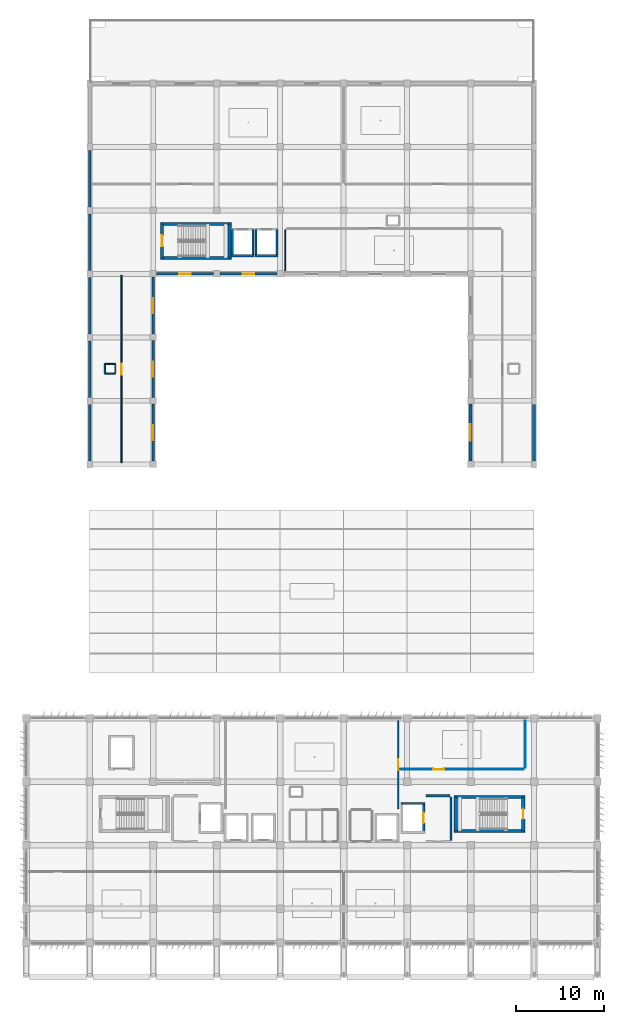
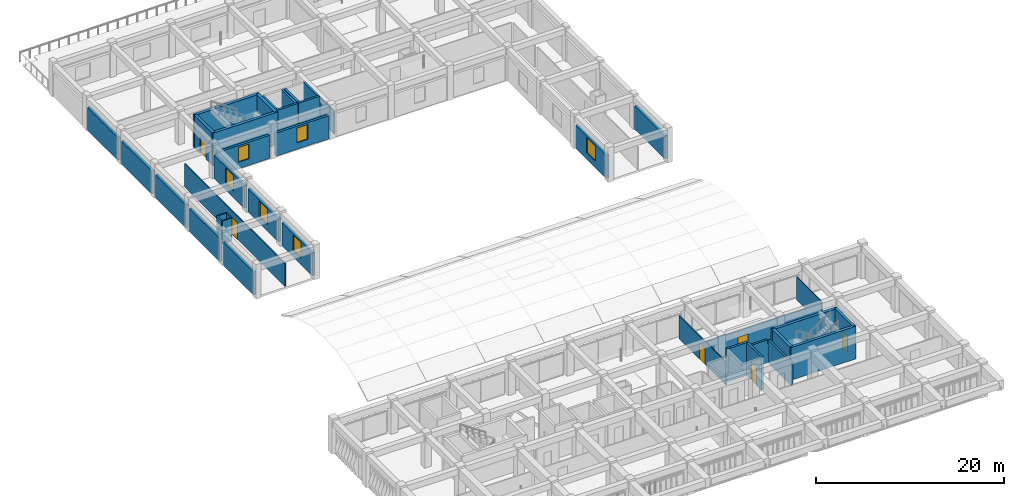
# One storey, part 37 of 56: 39 walls, 6 doors, 6 windows, 12 openings.
"""IFC4 building model written with IfcOpenShell, lengths in metres."""

from ifc_helpers import new_model, si_unit, direction, frame, frame_2d, origin, place, context, subcontext, project, spatial, rectangle, extrude, material, layer, layer_set, type_object, element, fill, save


model = new_model("IFC4")

# Units and contexts
model_context = context("Model", 3, precision=1e-05, world=origin(), true_north=direction((0.0, 1.0)))
body_context = subcontext(model_context, "Body", "Model", "MODEL_VIEW")
ifc_project = project(units=[si_unit("LENGTHUNIT", "METRE"), si_unit("AREAUNIT", "SQUARE_METRE"), si_unit("VOLUMEUNIT", "CUBIC_METRE"), si_unit("PLANEANGLEUNIT", "RADIAN"), si_unit("MASSUNIT", "GRAM", prefix="KILO")], contexts=[model_context])

# Site, building, storey
site_placement = place(None, origin())
site = spatial("IfcSite", under=ifc_project, at=site_placement, CompositionType="ELEMENT")
building_placement = place(site_placement, origin())
building = spatial("IfcBuilding", under=site, at=building_placement, Name="Kazehaya Institute of Natural Sciences", CompositionType="ELEMENT")
storey_placement = place(building_placement, frame((0.0, 0.0, 24.300048828125)))
storey = spatial("IfcBuildingStorey", under=building, at=storey_placement, Name="L05", CompositionType="ELEMENT", Elevation=24.300048828125)

# Walls
ifc_material_1 = material(Name="Concrete Fc42", Category="concrete")
ifc_layer_1 = layer(ifc_material_1, 0.35009765625, Name="Concrete Fc42", Category="concrete")
ifc_layer_set_1 = layer_set([ifc_layer_1], Name="Concrete Fc42")
wall_type_1 = type_object("IfcWallType", Name="WL-CORE-350", PredefinedType="SHEAR", material=ifc_layer_set_1)
for number, where, z_axis, x_axis, name in (
    (1, (111.155029296875, 22.820068359375, 0.0), (0.0, 0.0, 1.0), (-1.0, 0.0, 0.0), "L05 ST-2 core wall S"),
    (2, (103.14501953125, 26.659912109375, 0.0), (0.0, 0.0, 1.0), (1.0, 0.0, 0.0), "L05 ST-2 core wall N"),
):
    element("IfcWall", number, at=place(storey_placement, frame(where, z_axis=z_axis, x_axis=x_axis)), inside=storey, type_object=wall_type_1, Name=name, PredefinedType="SHEAR", context=body_context, shape_type="SweptSolid", body=[
        extrude(rectangle(XDim=8.010009765625, YDim=0.35009765625, at=frame_2d((4.0048828125, 0.0))), origin(), (0.0, 0.0, 1.0), 4.22998046875),
    ])
wall_1_placement = place(storey_placement, frame((103.320068359375, 22.820068359375, 0.0), z_axis=(0.0, 0.0, 1.0), x_axis=(0.0, 1.0, 0.0)))
element("IfcWall", 3, at=wall_1_placement, inside=storey, type_object=wall_type_1, Name="L05 ST-2 core wall W", PredefinedType="SHEAR", context=body_context, shape_type="SweptSolid", body=[
    extrude(rectangle(XDim=3.83984375, YDim=0.35009765625, at=frame_2d((1.919921875, 0.0))), origin(), (0.0, 0.0, 1.0), 4.22998046875),
])

# Wall, opening, door
wall_2_placement = place(storey_placement, frame((110.97998046875, 26.659912109375, 0.0), z_axis=(0.0, 0.0, 1.0), x_axis=(0.0, -1.0, 0.0)))
wall_2 = element("IfcWall", 4, at=wall_2_placement, inside=storey, type_object=wall_type_1, Name="L05 ST-2 core wall E", PredefinedType="SHEAR", context=body_context, shape_type="SweptSolid", body=[
    extrude(rectangle(XDim=3.83984375, YDim=0.35009765625, at=frame_2d((1.919921875, 0.0))), origin(), (0.0, 0.0, 1.0), 4.22998046875),
])
opening_1_placement = place(wall_2_placement, frame((1.35009765625, 0.0, 0.0)))
opening_1 = element("IfcOpeningElement", 5, at=opening_1_placement, cuts=wall_2, Name="Opening D-ST-018", PredefinedType="OPENING", context=body_context, shape_type="SweptSolid", body=[
    extrude(rectangle(XDim=1.139892578125, YDim=2.06005859375, at=frame_2d((0.56982421875, 1.030029296875))), frame((0.0, 0.18505859375, 0.0), z_axis=(0.0, -1.0, 0.0), x_axis=(1.0, 0.0, 0.0)), (0.0, 0.0, 1.0), 0.3701171875),
])
ifc_material_2 = material(Name="Fire-rated steel acoustic door", Category="steel")
door_type_1 = type_object("IfcDoorType", Name="DT-FD-19", OperationType="NOTDEFINED", PredefinedType="DOOR", material=ifc_material_2)
door_1_placement = place(opening_1_placement, origin())
door_1 = element("IfcDoor", 6, at=door_1_placement, inside=storey, type_object=door_type_1, Name="L05 ST-2 stair enclosure door D-ST-018", OperationType="SINGLE_SWING_RIGHT", OverallHeight=2.06005859375, OverallWidth=1.139892578125, PredefinedType="DOOR", context=body_context, shape_type="SweptSolid", body=[
    extrude(rectangle(XDim=1.139892578125, YDim=2.06005859375, at=frame_2d((0.56982421875, 1.030029296875))), frame((0.0, 0.02490234375, 0.0), z_axis=(0.0, -1.0, 0.0), x_axis=(1.0, 0.0, 0.0)), (0.0, 0.0, 1.0), 0.050048828125),
])
fill(opening_1, door_1)

# Walls
for number, where, z_axis, x_axis, name in (
    (7, (77.85498046875, 87.820068359375, 0.0), (0.0, 0.0, 1.0), (-1.0, 0.0, 0.0), "L05 ST-3 core wall S"),
    (8, (69.844970703125, 91.659912109375, 0.0), (0.0, 0.0, 1.0), (1.0, 0.0, 0.0), "L05 ST-3 core wall N"),
):
    element("IfcWall", number, at=place(storey_placement, frame(where, z_axis=z_axis, x_axis=x_axis)), inside=storey, type_object=wall_type_1, Name=name, PredefinedType="SHEAR", context=body_context, shape_type="SweptSolid", body=[
        extrude(rectangle(XDim=8.010009765625, YDim=0.35009765625, at=frame_2d((4.0048828125, 0.0))), origin(), (0.0, 0.0, 1.0), 4.22998046875),
    ])

# Wall, opening, door
wall_3_placement = place(storey_placement, frame((70.02001953125, 87.820068359375, 0.0), z_axis=(0.0, 0.0, 1.0), x_axis=(0.0, 1.0, 0.0)))
wall_3 = element("IfcWall", 9, at=wall_3_placement, inside=storey, type_object=wall_type_1, Name="L05 ST-3 core wall W", PredefinedType="SHEAR", context=body_context, shape_type="SweptSolid", body=[
    extrude(rectangle(XDim=3.83984375, YDim=0.35009765625, at=frame_2d((1.919921875, 0.0))), origin(), (0.0, 0.0, 1.0), 4.22998046875),
])
opening_2_placement = place(wall_3_placement, frame((1.2900390625, 0.0, 0.0)))
opening_2 = element("IfcOpeningElement", 10, at=opening_2_placement, cuts=wall_3, Name="Opening D-ST-029", PredefinedType="OPENING", context=body_context, shape_type="SweptSolid", body=[
    extrude(rectangle(XDim=1.260009765625, YDim=2.179931640625, at=frame_2d((0.6298828125, 1.08984375))), frame((0.0, 0.18505859375, 0.0), z_axis=(0.0, -1.0, 0.0), x_axis=(1.0, 0.0, 0.0)), (0.0, 0.0, 1.0), 0.3701171875),
])
door_type_2 = type_object("IfcDoorType", Name="DT-FD-30", OperationType="NOTDEFINED", PredefinedType="DOOR", material=ifc_material_2)
door_2_placement = place(opening_2_placement, origin())
door_2 = element("IfcDoor", 11, at=door_2_placement, inside=storey, type_object=door_type_2, Name="L05 ST-3 stair enclosure door D-ST-029", OperationType="SINGLE_SWING_LEFT", OverallHeight=2.179931640625, OverallWidth=1.260009765625, PredefinedType="DOOR", context=body_context, shape_type="SweptSolid", body=[
    extrude(rectangle(XDim=1.260009765625, YDim=2.179931640625, at=frame_2d((0.6298828125, 1.08984375))), frame((0.0, 0.02490234375, 0.0), z_axis=(0.0, -1.0, 0.0), x_axis=(1.0, 0.0, 0.0)), (0.0, 0.0, 1.0), 0.050048828125),
])
fill(opening_2, door_2)

# Wall
wall_4_placement = place(storey_placement, frame((77.679931640625, 91.659912109375, 0.0), z_axis=(0.0, 0.0, 1.0), x_axis=(0.0, -1.0, 0.0)))
element("IfcWall", 12, at=wall_4_placement, inside=storey, type_object=wall_type_1, Name="L05 ST-3 core wall E", PredefinedType="SHEAR", context=body_context, shape_type="SweptSolid", body=[
    extrude(rectangle(XDim=3.83984375, YDim=0.35009765625, at=frame_2d((1.919921875, 0.0))), origin(), (0.0, 0.0, 1.0), 4.22998046875),
])

# Wall, opening, window
ifc_material_3 = material(Name="Precast concrete Fc36", Category="concrete")
ifc_layer_2 = layer(ifc_material_3, 0.2900390625, Name="Precast concrete Fc36", Category="concrete")
ifc_layer_set_2 = layer_set([ifc_layer_2], Name="Precast concrete Fc36")
wall_type_2 = type_object("IfcWallType", Name="WL-EXT-290", PredefinedType="SOLIDWALL", material=ifc_layer_set_2)
wall_5_placement = place(storey_placement, frame((83.0400390625, 86.0, 0.0), z_axis=(0.0, 0.0, 1.0), x_axis=(-1.0, 0.0, 0.0)))
wall_5 = element("IfcWall", 13, at=wall_5_placement, inside=storey, type_object=wall_type_2, Name="L05 exterior wall EW-L05-0329", PredefinedType="SOLIDWALL", context=body_context, shape_type="SweptSolid", body=[
    extrude(rectangle(XDim=6.47998046875, YDim=0.2900390625, at=frame_2d((3.239990234375, 0.0))), origin(), (0.0, 0.0, 1.0), 3.0),
])
opening_3_placement = place(wall_5_placement, frame((2.590087890625, 0.0, 0.85009765625)))
opening_3 = element("IfcOpeningElement", 14, at=opening_3_placement, cuts=wall_5, Name="Opening W26", PredefinedType="OPENING", context=body_context, shape_type="SweptSolid", body=[
    extrude(rectangle(XDim=1.300048828125, YDim=1.89990234375, at=frame_2d((0.64990234375, 0.949951171875))), frame((0.0, 0.155029296875, 0.0), z_axis=(0.0, -1.0, 0.0), x_axis=(1.0, 0.0, 0.0)), (0.0, 0.0, 1.0), 0.31005859375),
])
ifc_material_4 = material(Name="Low-E double-glazed aluminium window", Category="aluminium")
window_type_1 = type_object("IfcWindowType", Name="WN-26", PartitioningType="SINGLE_PANEL", PredefinedType="WINDOW", material=ifc_material_4)
window_1_placement = place(opening_3_placement, origin())
window_1 = element("IfcWindow", 15, at=window_1_placement, inside=storey, type_object=window_type_1, Name="L05 facade window 0203", OverallHeight=1.89990234375, OverallWidth=1.300048828125, PartitioningType="SINGLE_PANEL", PredefinedType="WINDOW", context=body_context, shape_type="SweptSolid", body=[
    extrude(rectangle(XDim=1.300048828125, YDim=1.89990234375, at=frame_2d((0.64990234375, 0.949951171875))), frame((0.0, 0.030029296875, 0.0), z_axis=(0.0, -1.0, 0.0), x_axis=(1.0, 0.0, 0.0)), (0.0, 0.0, 1.0), 0.06005859375),
])
fill(opening_3, window_1)

wall_6_placement = place(storey_placement, frame((75.840087890625, 86.0, 0.0), z_axis=(0.0, 0.0, 1.0), x_axis=(-1.0, 0.0, 0.0)))
wall_6 = element("IfcWall", 16, at=wall_6_placement, inside=storey, type_object=wall_type_2, Name="L05 exterior wall EW-L05-0330", PredefinedType="SOLIDWALL", context=body_context, shape_type="SweptSolid", body=[
    extrude(rectangle(XDim=6.47998046875, YDim=0.2900390625, at=frame_2d((3.239990234375, 0.0))), origin(), (0.0, 0.0, 1.0), 3.0),
])
opening_4_placement = place(wall_6_placement, frame((2.590087890625, 0.0, 0.85009765625)))
opening_4 = element("IfcOpeningElement", 17, at=opening_4_placement, cuts=wall_6, Name="Opening W26", PredefinedType="OPENING", context=body_context, shape_type="SweptSolid", body=[
    extrude(rectangle(XDim=1.300048828125, YDim=1.89990234375, at=frame_2d((0.64990234375, 0.949951171875))), frame((0.0, 0.155029296875, 0.0), z_axis=(0.0, -1.0, 0.0), x_axis=(1.0, 0.0, 0.0)), (0.0, 0.0, 1.0), 0.31005859375),
])
window_2_placement = place(opening_4_placement, origin())
window_2 = element("IfcWindow", 18, at=window_2_placement, inside=storey, type_object=window_type_1, Name="L05 facade window 0204", OverallHeight=1.89990234375, OverallWidth=1.300048828125, PartitioningType="SINGLE_PANEL", PredefinedType="WINDOW", context=body_context, shape_type="SweptSolid", body=[
    extrude(rectangle(XDim=1.300048828125, YDim=1.89990234375, at=frame_2d((0.64990234375, 0.949951171875))), frame((0.0, 0.030029296875, 0.0), z_axis=(0.0, -1.0, 0.0), x_axis=(1.0, 0.0, 0.0)), (0.0, 0.0, 1.0), 0.06005859375),
])
fill(opening_4, window_2)

ifc_layer_3 = layer(ifc_material_3, 0.31005859375, Name="Precast concrete Fc36", Category="concrete")
ifc_layer_set_3 = layer_set([ifc_layer_3], Name="Precast concrete Fc36")
wall_type_3 = type_object("IfcWallType", Name="WL-EXT-310", PredefinedType="SOLIDWALL", material=ifc_layer_set_3)
wall_7_placement = place(storey_placement, frame((69.0, 71.239990234375, 0.0), z_axis=(0.0, 0.0, 1.0), x_axis=(0.0, -1.0, 0.0)))
wall_7 = element("IfcWall", 19, at=wall_7_placement, inside=storey, type_object=wall_type_3, Name="L05 exterior wall EW-L05-0303", PredefinedType="SOLIDWALL", context=body_context, shape_type="SweptSolid", body=[
    extrude(rectangle(XDim=6.47998046875, YDim=0.31005859375, at=frame_2d((3.239990234375, 0.0))), origin(), (0.0, 0.0, 1.0), 3.0),
])
opening_5_placement = place(wall_7_placement, frame((2.389892578125, 0.0, 0.85009765625)))
opening_5 = element("IfcOpeningElement", 20, at=opening_5_placement, cuts=wall_7, Name="Opening W22", PredefinedType="OPENING", context=body_context, shape_type="SweptSolid", body=[
    extrude(rectangle(XDim=1.699951171875, YDim=2.0, at=frame_2d((0.85009765625, 1.0))), frame((0.0, 0.1650390625, 0.0), z_axis=(0.0, -1.0, 0.0), x_axis=(1.0, 0.0, 0.0)), (0.0, 0.0, 1.0), 0.330078125),
])
window_type_2 = type_object("IfcWindowType", Name="WN-22", PartitioningType="SINGLE_PANEL", PredefinedType="WINDOW", material=ifc_material_4)
window_3_placement = place(opening_5_placement, origin())
window_3 = element("IfcWindow", 21, at=window_3_placement, inside=storey, type_object=window_type_2, Name="L05 facade window 0190", OverallHeight=2.0, OverallWidth=1.699951171875, PartitioningType="SINGLE_PANEL", PredefinedType="WINDOW", context=body_context, shape_type="SweptSolid", body=[
    extrude(rectangle(XDim=1.699951171875, YDim=2.0, at=frame_2d((0.85009765625, 1.0))), frame((0.0, 0.030029296875, 0.0), z_axis=(0.0, -1.0, 0.0), x_axis=(1.0, 0.0, 0.0)), (0.0, 0.0, 1.0), 0.06005859375),
])
fill(opening_5, window_3)

wall_8_placement = place(storey_placement, frame((105.0, 64.760009765625, 0.0), z_axis=(0.0, 0.0, 1.0), x_axis=(0.0, 1.0, 0.0)))
wall_8 = element("IfcWall", 22, at=wall_8_placement, inside=storey, type_object=wall_type_3, Name="L05 exterior wall EW-L05-0304", PredefinedType="SOLIDWALL", context=body_context, shape_type="SweptSolid", body=[
    extrude(rectangle(XDim=6.47998046875, YDim=0.31005859375, at=frame_2d((3.239990234375, 0.0))), origin(), (0.0, 0.0, 1.0), 3.0),
])
opening_6_placement = place(wall_8_placement, frame((2.2900390625, 0.0, 0.85009765625)))
opening_6 = element("IfcOpeningElement", 23, at=opening_6_placement, cuts=wall_8, Name="Opening W23", PredefinedType="OPENING", context=body_context, shape_type="SweptSolid", body=[
    extrude(rectangle(XDim=1.89990234375, YDim=2.0, at=frame_2d((0.949951171875, 1.0))), frame((0.0, 0.1650390625, 0.0), z_axis=(0.0, -1.0, 0.0), x_axis=(1.0, 0.0, 0.0)), (0.0, 0.0, 1.0), 0.330078125),
])
window_type_3 = type_object("IfcWindowType", Name="WN-23", PartitioningType="DOUBLE_PANEL_VERTICAL", PredefinedType="WINDOW", material=ifc_material_4)
window_4_placement = place(opening_6_placement, origin())
window_4 = element("IfcWindow", 24, at=window_4_placement, inside=storey, type_object=window_type_3, Name="L05 facade window 0191", OverallHeight=2.0, OverallWidth=1.89990234375, PartitioningType="DOUBLE_PANEL_VERTICAL", PredefinedType="WINDOW", context=body_context, shape_type="SweptSolid", body=[
    extrude(rectangle(XDim=1.89990234375, YDim=2.0, at=frame_2d((0.949951171875, 1.0))), frame((0.0, 0.030029296875, 0.0), z_axis=(0.0, -1.0, 0.0), x_axis=(1.0, 0.0, 0.0)), (0.0, 0.0, 1.0), 0.06005859375),
])
fill(opening_6, window_4)

wall_9_placement = place(storey_placement, frame((69.0, 78.43994140625, 0.0), z_axis=(0.0, 0.0, 1.0), x_axis=(0.0, -1.0, 0.0)))
wall_9 = element("IfcWall", 25, at=wall_9_placement, inside=storey, type_object=wall_type_3, Name="L05 exterior wall EW-L05-0307", PredefinedType="SOLIDWALL", context=body_context, shape_type="SweptSolid", body=[
    extrude(rectangle(XDim=6.47998046875, YDim=0.31005859375, at=frame_2d((3.239990234375, 0.0))), origin(), (0.0, 0.0, 1.0), 3.0),
])
opening_7_placement = place(wall_9_placement, frame((2.389892578125, 0.0, 0.85009765625)))
opening_7 = element("IfcOpeningElement", 26, at=opening_7_placement, cuts=wall_9, Name="Opening W22", PredefinedType="OPENING", context=body_context, shape_type="SweptSolid", body=[
    extrude(rectangle(XDim=1.699951171875, YDim=2.0, at=frame_2d((0.85009765625, 1.0))), frame((0.0, 0.1650390625, 0.0), z_axis=(0.0, -1.0, 0.0), x_axis=(1.0, 0.0, 0.0)), (0.0, 0.0, 1.0), 0.330078125),
])
window_5_placement = place(opening_7_placement, origin())
window_5 = element("IfcWindow", 27, at=window_5_placement, inside=storey, type_object=window_type_2, Name="L05 facade window 0192", OverallHeight=2.0, OverallWidth=1.699951171875, PartitioningType="SINGLE_PANEL", PredefinedType="WINDOW", context=body_context, shape_type="SweptSolid", body=[
    extrude(rectangle(XDim=1.699951171875, YDim=2.0, at=frame_2d((0.85009765625, 1.0))), frame((0.0, 0.030029296875, 0.0), z_axis=(0.0, -1.0, 0.0), x_axis=(1.0, 0.0, 0.0)), (0.0, 0.0, 1.0), 0.06005859375),
])
fill(opening_7, window_5)

wall_10_placement = place(storey_placement, frame((69.0, 85.639892578125, 0.0), z_axis=(0.0, 0.0, 1.0), x_axis=(0.0, -1.0, 0.0)))
wall_10 = element("IfcWall", 28, at=wall_10_placement, inside=storey, type_object=wall_type_3, Name="L05 exterior wall EW-L05-0311", PredefinedType="SOLIDWALL", context=body_context, shape_type="SweptSolid", body=[
    extrude(rectangle(XDim=6.47998046875, YDim=0.31005859375, at=frame_2d((3.239990234375, 0.0))), origin(), (0.0, 0.0, 1.0), 3.0),
])
opening_8_placement = place(wall_10_placement, frame((2.389892578125, 0.0, 0.85009765625)))
opening_8 = element("IfcOpeningElement", 29, at=opening_8_placement, cuts=wall_10, Name="Opening W22", PredefinedType="OPENING", context=body_context, shape_type="SweptSolid", body=[
    extrude(rectangle(XDim=1.699951171875, YDim=2.0, at=frame_2d((0.85009765625, 1.0))), frame((0.0, 0.1650390625, 0.0), z_axis=(0.0, -1.0, 0.0), x_axis=(1.0, 0.0, 0.0)), (0.0, 0.0, 1.0), 0.330078125),
])
window_6_placement = place(opening_8_placement, origin())
window_6 = element("IfcWindow", 30, at=window_6_placement, inside=storey, type_object=window_type_2, Name="L05 facade window 0194", OverallHeight=2.0, OverallWidth=1.699951171875, PartitioningType="SINGLE_PANEL", PredefinedType="WINDOW", context=body_context, shape_type="SweptSolid", body=[
    extrude(rectangle(XDim=1.699951171875, YDim=2.0, at=frame_2d((0.85009765625, 1.0))), frame((0.0, 0.030029296875, 0.0), z_axis=(0.0, -1.0, 0.0), x_axis=(1.0, 0.0, 0.0)), (0.0, 0.0, 1.0), 0.06005859375),
])
fill(opening_8, window_6)

# Walls
ifc_layer_4 = layer(ifc_material_3, 0.320068359375, Name="Precast concrete Fc36", Category="concrete")
ifc_layer_set_4 = layer_set([ifc_layer_4], Name="Precast concrete Fc36")
wall_type_4 = type_object("IfcWallType", Name="WL-EXT-320", PredefinedType="SOLIDWALL", material=ifc_layer_set_4)
for number, where, z_axis, x_axis, name in (
    (31, (61.800048828125, 64.784912109375, 0.0), (0.0, 0.0, 1.0), (0.0, 1.0, 0.0), "L05 exterior wall EW-L05-0301"),
    (32, (112.199951171875, 71.215087890625, 0.0), (0.0, 0.0, 1.0), (0.0, -1.0, 0.0), "L05 exterior wall EW-L05-0302"),
):
    element("IfcWall", number, at=place(storey_placement, frame(where, z_axis=z_axis, x_axis=x_axis)), inside=storey, type_object=wall_type_4, Name=name, PredefinedType="SOLIDWALL", context=body_context, shape_type="SweptSolid", body=[
        extrude(rectangle(XDim=6.43017578125, YDim=0.320068359375, at=frame_2d((3.215087890625, 0.0))), origin(), (0.0, 0.0, 1.0), 3.0),
    ])
for number, where, z_axis, x_axis, name in (
    (33, (61.800048828125, 71.985107421875, 0.0), (0.0, 0.0, 1.0), (0.0, 1.0, 0.0), "L05 exterior wall EW-L05-0305"),
    (34, (61.800048828125, 79.18505859375, 0.0), (0.0, 0.0, 1.0), (0.0, 1.0, 0.0), "L05 exterior wall EW-L05-0309"),
    (35, (61.800048828125, 86.385009765625, 0.0), (0.0, 0.0, 1.0), (0.0, 1.0, 0.0), "L05 exterior wall EW-L05-0313"),
    (36, (61.800048828125, 93.5849609375, 0.0), (0.0, 0.0, 1.0), (0.0, 1.0, 0.0), "L05 exterior wall EW-L05-0315"),
):
    element("IfcWall", number, at=place(storey_placement, frame(where, z_axis=z_axis, x_axis=x_axis)), inside=storey, type_object=wall_type_4, Name=name, PredefinedType="SOLIDWALL", context=body_context, shape_type="SweptSolid", body=[
        extrude(rectangle(XDim=6.429931640625, YDim=0.320068359375, at=frame_2d((3.21484375, 0.0))), origin(), (0.0, 0.0, 1.0), 3.0),
    ])
ifc_material_5 = material(Name="Concrete Fc36", Category="concrete")
ifc_layer_5 = layer(ifc_material_5, 0.22998046875, Name="Concrete Fc36", Category="concrete")
ifc_layer_set_5 = layer_set([ifc_layer_5], Name="Concrete Fc36")
wall_type_5 = type_object("IfcWallType", Name="WL-FFL-230", PredefinedType="PARTITIONING", material=ifc_layer_set_5)
wall_11_placement = place(storey_placement, frame((99.949951171875, 26.800048828125, 0.0), z_axis=(0.0, 0.0, 1.0), x_axis=(1.0, 0.0, 0.0)))
element("IfcWall", 37, at=wall_11_placement, inside=storey, type_object=wall_type_5, Name="L05 East Firefighting Lift Lobby partition IW-L05-0258", PredefinedType="PARTITIONING", context=body_context, shape_type="SweptSolid", body=[
    extrude(rectangle(XDim=2.699951171875, YDim=0.22998046875, at=frame_2d((1.35009765625, 0.0))), origin(), (0.0, 0.0, 1.0), 2.97998046875),
])
wall_12_placement = place(storey_placement, frame((102.800048828125, 26.64990234375, 0.0), z_axis=(0.0, 0.0, 1.0), x_axis=(0.0, -1.0, 0.0)))
element("IfcWall", 38, at=wall_12_placement, inside=storey, type_object=wall_type_5, Name="L05 East Firefighting Lift Lobby partition IW-L05-0259", PredefinedType="PARTITIONING", context=body_context, shape_type="SweptSolid", body=[
    extrude(rectangle(XDim=4.89990234375, YDim=0.22998046875, at=frame_2d((2.449951171875, 0.0))), origin(), (0.0, 0.0, 1.0), 2.97998046875),
])

# Wall, opening, door
ifc_material_6 = material(Name="Glazed office demountable partition")
ifc_layer_6 = layer(ifc_material_6, 0.110107421875, Name="Glazed office demountable partition")
ifc_layer_set_6 = layer_set([ifc_layer_6], Name="Glazed office demountable partition")
wall_type_6 = type_object("IfcWallType", Name="WL-PART-110", PredefinedType="PARTITIONING", material=ifc_layer_set_6)
wall_13_placement = place(storey_placement, frame((111.030029296875, 29.800048828125, 0.0), z_axis=(0.0, 0.0, 1.0), x_axis=(-1.0, 0.0, 0.0)))
wall_13 = element("IfcWall", 39, at=wall_13_placement, inside=storey, type_object=wall_type_6, Name="L05 Shared NMR and Optical Instrument Suite partition IW-L05-0280", PredefinedType="PARTITIONING", context=body_context, shape_type="SweptSolid", body=[
    extrude(rectangle(XDim=14.080078125, YDim=0.110107421875, at=frame_2d((7.0400390625, 0.0))), origin(), (0.0, 0.0, 1.0), 2.97998046875),
])
opening_9_placement = place(wall_13_placement, frame((9.014892578125, 0.0, 0.0)))
opening_9 = element("IfcOpeningElement", 40, at=opening_9_placement, cuts=wall_13, Name="Opening D-L05-0164", PredefinedType="OPENING", context=body_context, shape_type="SweptSolid", body=[
    extrude(rectangle(XDim=1.22998046875, YDim=2.10009765625, at=frame_2d((0.614990234375, 1.050048828125))), frame((0.0, 0.06494140625, 0.0), z_axis=(0.0, -1.0, 0.0), x_axis=(1.0, 0.0, 0.0)), (0.0, 0.0, 1.0), 0.130126953125),
])
ifc_material_7 = material(Name="Flush timber and aluminium laboratory door", Category="wood")
door_type_3 = type_object("IfcDoorType", Name="DT-INT-38", OperationType="NOTDEFINED", PredefinedType="DOOR", material=ifc_material_7)
door_3_placement = place(opening_9_placement, origin())
door_3 = element("IfcDoor", 41, at=door_3_placement, inside=storey, type_object=door_type_3, Name="L05 Shared NMR and Optical Instrument Suite door D-L05-0164", OperationType="SINGLE_SWING_RIGHT", OverallHeight=2.10009765625, OverallWidth=1.22998046875, PredefinedType="DOOR", context=body_context, shape_type="SweptSolid", body=[
    extrude(rectangle(XDim=1.22998046875, YDim=2.10009765625, at=frame_2d((0.614990234375, 1.050048828125))), frame((0.0, 0.02490234375, 0.0), z_axis=(0.0, -1.0, 0.0), x_axis=(1.0, 0.0, 0.0)), (0.0, 0.0, 1.0), 0.050048828125),
])
fill(opening_9, door_3)

# Walls
wall_14_placement = place(storey_placement, frame((111.179931640625, 35.300048828125, 0.0), z_axis=(0.0, 0.0, 1.0), x_axis=(0.0, -1.0, 0.0)))
element("IfcWall", 42, at=wall_14_placement, inside=storey, type_object=wall_type_6, Name="L05 Shared NMR and Optical Instrument Suite partition IW-L05-0281", PredefinedType="PARTITIONING", context=body_context, shape_type="SweptSolid", body=[
    extrude(rectangle(XDim=5.35009765625, YDim=0.110107421875, at=frame_2d((2.675048828125, 0.0))), origin(), (0.0, 0.0, 1.0), 2.97998046875),
])
ifc_material_8 = material(Name="Gypsum write-up office partition", Category="gypsum")
ifc_layer_7 = layer(ifc_material_8, 0.1201171875, Name="Gypsum write-up office partition", Category="gypsum")
ifc_layer_set_7 = layer_set([ifc_layer_7], Name="Gypsum write-up office partition")
wall_type_7 = type_object("IfcWallType", Name="WL-PART-120", PredefinedType="PARTITIONING", material=ifc_layer_set_7)
wall_15_placement = place(storey_placement, frame((84.0, 86.35009765625, 0.0), z_axis=(0.0, 0.0, 1.0), x_axis=(0.0, 1.0, 0.0)))
element("IfcWall", 43, at=wall_15_placement, inside=storey, type_object=wall_type_7, Name="L05 Researcher Write-up Office partition IW-L05-0288", PredefinedType="PARTITIONING", context=body_context, shape_type="SweptSolid", body=[
    extrude(rectangle(XDim=4.64990234375, YDim=0.1201171875, at=frame_2d((2.324951171875, 0.0))), origin(), (0.0, 0.0, 1.0), 2.97998046875),
])

# Wall, opening, door
ifc_material_9 = material(Name="Moisture-resistant WC partition")
ifc_layer_8 = layer(ifc_material_9, 0.1298828125, Name="Moisture-resistant WC partition")
ifc_layer_set_8 = layer_set([ifc_layer_8], Name="Moisture-resistant WC partition")
wall_type_8 = type_object("IfcWallType", Name="WL-PART-130", PredefinedType="PARTITIONING", material=ifc_layer_set_8)
wall_16_placement = place(storey_placement, frame((96.800048828125, 35.300048828125, 0.0), z_axis=(0.0, 0.0, 1.0), x_axis=(0.0, -1.0, 0.0)))
wall_16 = element("IfcWall", 44, at=wall_16_placement, inside=storey, type_object=wall_type_8, Name="L05 Atmospheric Chemistry Laboratory partition IW-L05-0279", PredefinedType="PARTITIONING", context=body_context, shape_type="SweptSolid", body=[
    extrude(rectangle(XDim=9.949951171875, YDim=0.1298828125, at=frame_2d((4.97509765625, 0.0))), origin(), (0.0, 0.0, 1.0), 2.97998046875),
])
opening_10_placement = place(wall_16_placement, frame((4.360107421875, 0.0, 0.0)))
opening_10 = element("IfcOpeningElement", 45, at=opening_10_placement, cuts=wall_16, Name="Opening D-L05-0163", PredefinedType="OPENING", context=body_context, shape_type="SweptSolid", body=[
    extrude(rectangle(XDim=1.22998046875, YDim=2.050048828125, at=frame_2d((0.614990234375, 1.02490234375))), frame((0.0, 0.074951171875, 0.0), z_axis=(0.0, -1.0, 0.0), x_axis=(1.0, 0.0, 0.0)), (0.0, 0.0, 1.0), 0.14990234375),
])
door_type_4 = type_object("IfcDoorType", Name="DT-INT-37", OperationType="NOTDEFINED", PredefinedType="DOOR", material=ifc_material_7)
door_4_placement = place(opening_10_placement, origin())
door_4 = element("IfcDoor", 46, at=door_4_placement, inside=storey, type_object=door_type_4, Name="L05 Atmospheric Chemistry Laboratory door D-L05-0163", OperationType="SINGLE_SWING_LEFT", OverallHeight=2.050048828125, OverallWidth=1.22998046875, PredefinedType="DOOR", context=body_context, shape_type="SweptSolid", body=[
    extrude(rectangle(XDim=1.22998046875, YDim=2.050048828125, at=frame_2d((0.614990234375, 1.02490234375))), frame((0.0, 0.02490234375, 0.0), z_axis=(0.0, -1.0, 0.0), x_axis=(1.0, 0.0, 0.0)), (0.0, 0.0, 1.0), 0.050048828125),
])
fill(opening_10, door_4)

wall_17_placement = place(storey_placement, frame((65.39990234375, 64.550048828125, 0.0), z_axis=(0.0, 0.0, 1.0), x_axis=(0.0, 1.0, 0.0)))
wall_17 = element("IfcWall", 47, at=wall_17_placement, inside=storey, type_object=wall_type_8, Name="L05 Researcher Write-up Office partition IW-L05-0282", PredefinedType="PARTITIONING", context=body_context, shape_type="SweptSolid", body=[
    extrude(rectangle(XDim=21.300048828125, YDim=0.1298828125, at=frame_2d((10.64990234375, 0.0))), origin(), (0.0, 0.0, 1.0), 2.97998046875),
])
opening_11_placement = place(wall_17_placement, frame((10.034912109375, 0.0, 0.0)))
opening_11 = element("IfcOpeningElement", 48, at=opening_11_placement, cuts=wall_17, Name="Opening D-L05-0165", PredefinedType="OPENING", context=body_context, shape_type="SweptSolid", body=[
    extrude(rectangle(XDim=1.22998046875, YDim=2.159912109375, at=frame_2d((0.614990234375, 1.080078125))), frame((0.0, 0.074951171875, 0.0), z_axis=(0.0, -1.0, 0.0), x_axis=(1.0, 0.0, 0.0)), (0.0, 0.0, 1.0), 0.14990234375),
])
door_type_5 = type_object("IfcDoorType", Name="DT-INT-39", OperationType="NOTDEFINED", PredefinedType="DOOR", material=ifc_material_7)
door_5_placement = place(opening_11_placement, origin())
door_5 = element("IfcDoor", 49, at=door_5_placement, inside=storey, type_object=door_type_5, Name="L05 Researcher Write-up Office door D-L05-0165", OperationType="SINGLE_SWING_LEFT", OverallHeight=2.159912109375, OverallWidth=1.22998046875, PredefinedType="DOOR", context=body_context, shape_type="SweptSolid", body=[
    extrude(rectangle(XDim=1.22998046875, YDim=2.159912109375, at=frame_2d((0.614990234375, 1.080078125))), frame((0.0, 0.02490234375, 0.0), z_axis=(0.0, -1.0, 0.0), x_axis=(1.0, 0.0, 0.0)), (0.0, 0.0, 1.0), 0.050048828125),
])
fill(opening_11, door_5)

# Walls
ifc_layer_9 = layer(ifc_material_5, 0.14990234375, Name="Concrete Fc36", Category="concrete")
ifc_layer_set_9 = layer_set([ifc_layer_9], Name="Concrete Fc36")
wall_type_9 = type_object("IfcWallType", Name="WL-RISER-150", PredefinedType="PARTITIONING", material=ifc_layer_set_9)
for number, where, z_axis, x_axis, name in (
    (50, (64.68505859375, 74.715087890625, 0.0), (0.0, 0.0, 1.0), (-1.0, 0.0, 0.0), "L05 fume exhaust riser shaft wall 40"),
    (51, (63.514892578125, 75.784912109375, 0.0), (0.0, 0.0, 1.0), (1.0, 0.0, 0.0), "L05 fume exhaust riser shaft wall 40"),
):
    element("IfcWall", number, at=place(storey_placement, frame(where, z_axis=z_axis, x_axis=x_axis)), inside=storey, type_object=wall_type_9, Name=name, PredefinedType="PARTITIONING", context=body_context, shape_type="SweptSolid", body=[
        extrude(rectangle(XDim=1.170166015625, YDim=0.14990234375, at=frame_2d((0.5849609375, 0.0))), origin(), (0.0, 0.0, 1.0), 2.97998046875),
    ])
for number, where, z_axis, x_axis, name in (
    (52, (63.514892578125, 74.715087890625, 0.0), (0.0, 0.0, 1.0), (0.0, 1.0, 0.0), "L05 fume exhaust riser shaft wall 40"),
    (53, (64.68505859375, 75.784912109375, 0.0), (0.0, 0.0, 1.0), (0.0, -1.0, 0.0), "L05 fume exhaust riser shaft wall 40"),
):
    element("IfcWall", number, at=place(storey_placement, frame(where, z_axis=z_axis, x_axis=x_axis)), inside=storey, type_object=wall_type_9, Name=name, PredefinedType="PARTITIONING", context=body_context, shape_type="SweptSolid", body=[
        extrude(rectangle(XDim=1.06982421875, YDim=0.14990234375, at=frame_2d((0.534912109375, 0.0))), origin(), (0.0, 0.0, 1.0), 2.97998046875),
    ])
ifc_layer_10 = layer(ifc_material_1, 0.25, Name="Concrete Fc42", Category="concrete")
ifc_layer_set_10 = layer_set([ifc_layer_10], Name="Concrete Fc42")
wall_type_10 = type_object("IfcWallType", Name="WL-SHAFT-250", PredefinedType="SHEAR", material=ifc_layer_set_10)
wall_18_placement = place(storey_placement, frame((97.090087890625, 25.93505859375, 0.0), z_axis=(0.0, 0.0, 1.0), x_axis=(1.0, 0.0, 0.0)))
element("IfcWall", 54, at=wall_18_placement, inside=storey, type_object=wall_type_10, Name="L05 EL08 lift shaft wall north", PredefinedType="SHEAR", context=body_context, shape_type="SweptSolid", body=[
    extrude(rectangle(XDim=2.719970703125, YDim=0.25, at=frame_2d((1.35986328125, 0.0))), origin(), (0.0, 0.0, 1.0), 4.22998046875),
])

# Wall, opening, door
wall_19_placement = place(storey_placement, frame((99.68505859375, 25.93505859375, 0.0), z_axis=(0.0, 0.0, 1.0), x_axis=(0.0, -1.0, 0.0)))
wall_19 = element("IfcWall", 55, at=wall_19_placement, inside=storey, type_object=wall_type_10, Name="L05 EL08 lift shaft wall east", PredefinedType="SHEAR", context=body_context, shape_type="SweptSolid", body=[
    extrude(rectangle(XDim=3.27001953125, YDim=0.25, at=frame_2d((1.635009765625, 0.0))), origin(), (0.0, 0.0, 1.0), 4.22998046875),
])
opening_12_placement = place(wall_19_placement, frame((1.034912109375, 0.0, 0.0)))
opening_12 = element("IfcOpeningElement", 56, at=opening_12_placement, cuts=wall_19, Name="Opening LD-18", PredefinedType="OPENING", context=body_context, shape_type="SweptSolid", body=[
    extrude(rectangle(XDim=1.199951171875, YDim=2.25, at=frame_2d((0.60009765625, 1.125))), frame((0.0, 0.135009765625, 0.0), z_axis=(0.0, -1.0, 0.0), x_axis=(1.0, 0.0, 0.0)), (0.0, 0.0, 1.0), 0.27001953125),
])
ifc_material_10 = material(Name="Stainless-steel emergency lift landing door", Category="steel")
door_type_6 = type_object("IfcDoorType", Name="DT-LD-1200x2250", OperationType="SLIDING_TO_LEFT", PredefinedType="DOOR", material=ifc_material_10)
door_6_placement = place(opening_12_placement, origin())
door_6 = element("IfcDoor", 57, at=door_6_placement, inside=storey, type_object=door_type_6, Name="L05 EL08 sliding landing door LD-18", OperationType="SLIDING_TO_LEFT", OverallHeight=2.25, OverallWidth=1.199951171875, PredefinedType="DOOR", context=body_context, shape_type="SweptSolid", body=[
    extrude(rectangle(XDim=1.199951171875, YDim=2.25, at=frame_2d((0.60009765625, 1.125))), frame((0.0, 0.02490234375, 0.0), z_axis=(0.0, -1.0, 0.0), x_axis=(1.0, 0.0, 0.0)), (0.0, 0.0, 1.0), 0.050048828125),
])
fill(opening_12, door_6)

# Walls
wall_20_placement = place(storey_placement, frame((80.4599609375, 88.06494140625, 0.0), z_axis=(0.0, 0.0, 1.0), x_axis=(-1.0, 0.0, 0.0)))
element("IfcWall", 58, at=wall_20_placement, inside=storey, type_object=wall_type_10, Name="L05 EL04 lift shaft wall south", PredefinedType="SHEAR", context=body_context, shape_type="SweptSolid", body=[
    extrude(rectangle(XDim=2.619873046875, YDim=0.25, at=frame_2d((1.31005859375, 0.0))), origin(), (0.0, 0.0, 1.0), 4.22998046875),
])
for number, where, z_axis, x_axis, name in (
    (59, (77.965087890625, 88.06494140625, 0.0), (0.0, 0.0, 1.0), (0.0, 1.0, 0.0), "L05 EL04 lift shaft wall west"),
    (60, (80.3349609375, 91.034912109375, 0.0), (0.0, 0.0, 1.0), (0.0, -1.0, 0.0), "L05 EL04 lift shaft wall east"),
):
    element("IfcWall", number, at=place(storey_placement, frame(where, z_axis=z_axis, x_axis=x_axis)), inside=storey, type_object=wall_type_10, Name=name, PredefinedType="SHEAR", context=body_context, shape_type="SweptSolid", body=[
        extrude(rectangle(XDim=2.969970703125, YDim=0.25, at=frame_2d((1.48486328125, 0.0))), origin(), (0.0, 0.0, 1.0), 4.22998046875),
    ])
wall_21_placement = place(storey_placement, frame((83.159912109375, 88.06494140625, 0.0), z_axis=(0.0, 0.0, 1.0), x_axis=(-1.0, 0.0, 0.0)))
element("IfcWall", 61, at=wall_21_placement, inside=storey, type_object=wall_type_10, Name="L05 EL05 lift shaft wall south", PredefinedType="SHEAR", context=body_context, shape_type="SweptSolid", body=[
    extrude(rectangle(XDim=2.619873046875, YDim=0.25, at=frame_2d((1.31005859375, 0.0))), origin(), (0.0, 0.0, 1.0), 4.22998046875),
])
for number, where, z_axis, x_axis, name in (
    (62, (80.6650390625, 88.06494140625, 0.0), (0.0, 0.0, 1.0), (0.0, 1.0, 0.0), "L05 EL05 lift shaft wall west"),
    (63, (83.034912109375, 91.034912109375, 0.0), (0.0, 0.0, 1.0), (0.0, -1.0, 0.0), "L05 EL05 lift shaft wall east"),
):
    element("IfcWall", number, at=place(storey_placement, frame(where, z_axis=z_axis, x_axis=x_axis)), inside=storey, type_object=wall_type_10, Name=name, PredefinedType="SHEAR", context=body_context, shape_type="SweptSolid", body=[
        extrude(rectangle(XDim=2.969970703125, YDim=0.25, at=frame_2d((1.48486328125, 0.0))), origin(), (0.0, 0.0, 1.0), 4.22998046875),
    ])

save(model, "model.ifc")
